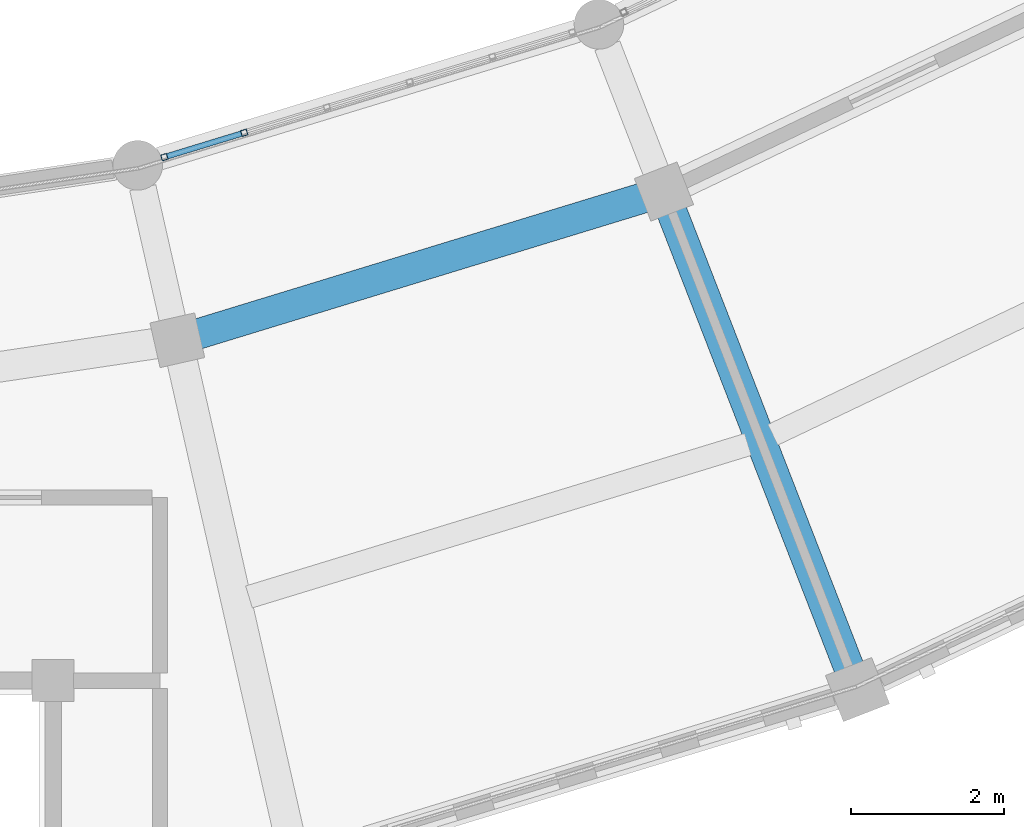
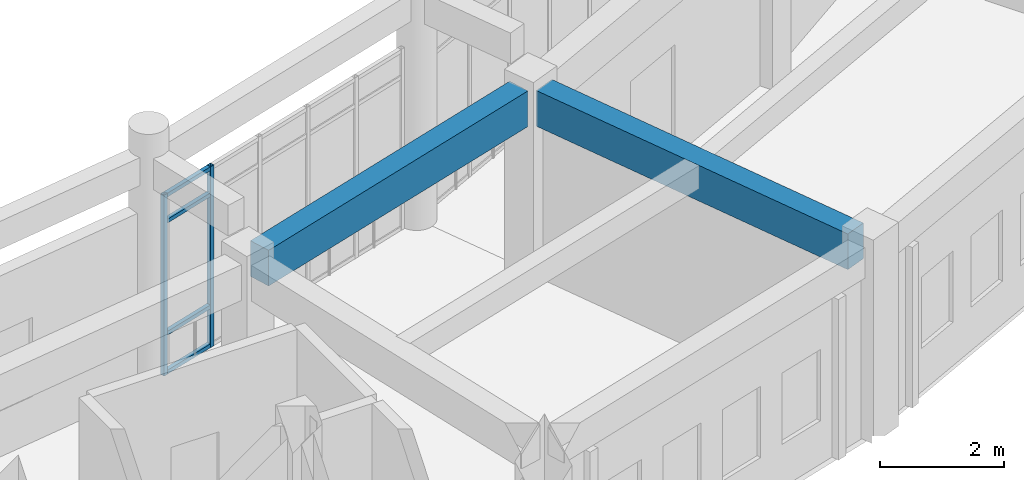
# One storey, part 36 of 159: 6 members, 2 beams, 1 element without a shape of its own.
"""IFC4 building model written with IfcOpenShell, lengths in metres."""

from ifc_helpers import new_model, si_unit, direction, frame, origin, origin_2d, place, context, subcontext, project, spatial, rectangle, hollow_rectangle, extrude, material, material_profile, profile_set, type_object, element, aggregate, save


model = new_model("IFC4")

# Units and contexts
model_context = context("Model", 3, precision=1e-05, world=origin(), true_north=direction((0.0, 1.0)))
body_context = subcontext(model_context, "Body", "Model", "MODEL_VIEW")
ifc_project = project(units=[si_unit("LENGTHUNIT", "METRE"), si_unit("AREAUNIT", "SQUARE_METRE"), si_unit("VOLUMEUNIT", "CUBIC_METRE"), si_unit("PLANEANGLEUNIT", "RADIAN"), si_unit("MASSUNIT", "GRAM", prefix="KILO")], contexts=[model_context])

# Site, building, storey
site_placement = place(None, origin())
site = spatial("IfcSite", under=ifc_project, at=site_placement, CompositionType="ELEMENT")
building_placement = place(site_placement, origin())
building = spatial("IfcBuilding", under=site, at=building_placement, Name="Celadon Cloister-Ring School", CompositionType="ELEMENT")
storey_placement = place(building_placement, frame((0.0, 0.0, 4.5)))
storey = spatial("IfcBuildingStorey", under=building, at=storey_placement, Name="L01", CompositionType="ELEMENT", Elevation=4.5)

# Curtain wall, members
ifc_material_1 = material(Name="Aluminium EN AW-6063 T6", Category="aluminium")
curtain_wall_type = type_object("IfcCurtainWallType", Name="CW-01", PredefinedType="USERDEFINED", material=ifc_material_1)
curtain_wall_placement = place(storey_placement, origin())
curtain_wall = element("IfcCurtainWall", 1, at=curtain_wall_placement, inside=storey, type_object=curtain_wall_type, Name="Curtain Wall 0033", ObjectType="CURTAIN WALL", PredefinedType="USERDEFINED")
ifc_material_2 = material(Name="Aluminium EN AW-6063 T6", Category="aluminium")
ifc_material_profile_1 = material_profile(ifc_material_2, hollow_rectangle(XDim=0.080078125, YDim=0.080078125, WallThickness=0.00390625, at=origin_2d()), Name="RHS80X80X4")
ifc_profile_set_1 = profile_set([ifc_material_profile_1], Name="Aluminium EN AW-6063 T6")
member_type_1 = type_object("IfcMemberType", Name="CM-03", PredefinedType="MULLION", material=ifc_profile_set_1)
member_1_placement = place(storey_placement, frame((96.75732421875, 17.507568359375, 0.0), z_axis=(0.0, 0.0, 1.0), x_axis=(-0.2921513036, 0.956372111578, 0.0)))
member_1 = element("IfcMember", 2, at=member_1_placement, type_object=member_type_1, Name="CW-01 mullion 1", PredefinedType="MULLION", context=body_context, shape_type="SweptSolid", body=[
    extrude(hollow_rectangle(XDim=0.080078125, YDim=0.080078125, WallThickness=0.00390625, at=origin_2d()), origin(), (0.0, 0.0, 1.0), 3.550048828125),
])
member_2_placement = place(storey_placement, frame((97.80322265625, 17.8271484375, 0.0), z_axis=(0.0, 0.0, 1.0), x_axis=(-0.2921513036, 0.956372111578, 0.0)))
member_2 = element("IfcMember", 3, at=member_2_placement, type_object=member_type_1, Name="CW-01 mullion 2", PredefinedType="MULLION", context=body_context, shape_type="SweptSolid", body=[
    extrude(hollow_rectangle(XDim=0.080078125, YDim=0.080078125, WallThickness=0.00390625, at=origin_2d()), origin(), (0.0, 0.0, 1.0), 3.550048828125),
])
ifc_material_3 = material(Name="Aluminium EN AW-6063 T6", Category="aluminium")
ifc_material_profile_2 = material_profile(ifc_material_3, hollow_rectangle(XDim=0.074951171875, YDim=0.074951171875, WallThickness=0.00390625, at=origin_2d()), Name="RHS75X75X4")
ifc_profile_set_2 = profile_set([ifc_material_profile_2], Name="Aluminium EN AW-6063 T6")
member_type_2 = type_object("IfcMemberType", Name="CTM-03", PredefinedType="USERDEFINED", material=ifc_profile_set_2)
member_3_placement = place(storey_placement, frame((96.79541015625, 17.519287109375, 0.03759765625), z_axis=(0.956375872703, 0.292138991083, 0.0), x_axis=(-0.292138991083, 0.956375872703, 0.0)))
member_3 = element("IfcMember", 4, at=member_3_placement, type_object=member_type_2, Name="CW-01 transom 1.1", ObjectType="TRANSOM", PredefinedType="USERDEFINED", context=body_context, shape_type="SweptSolid", body=[
    extrude(hollow_rectangle(XDim=0.074951171875, YDim=0.074951171875, WallThickness=0.00390625, at=origin_2d()), origin(), (0.0, 0.0, 1.0), 1.013671875),
])
member_4_placement = place(storey_placement, frame((96.79541015625, 17.519287109375, 0.800048828125), z_axis=(0.956375872703, 0.292138991083, 0.0), x_axis=(-0.292138991083, 0.956375872703, 0.0)))
member_4 = element("IfcMember", 5, at=member_4_placement, type_object=member_type_2, Name="CW-01 transom 1.2", ObjectType="TRANSOM", PredefinedType="USERDEFINED", context=body_context, shape_type="SweptSolid", body=[
    extrude(hollow_rectangle(XDim=0.074951171875, YDim=0.074951171875, WallThickness=0.00390625, at=origin_2d()), origin(), (0.0, 0.0, 1.0), 1.013671875),
])
member_5_placement = place(storey_placement, frame((96.79541015625, 17.519287109375, 3.0), z_axis=(0.956375872703, 0.292138991083, 0.0), x_axis=(-0.292138991083, 0.956375872703, 0.0)))
member_5 = element("IfcMember", 6, at=member_5_placement, type_object=member_type_2, Name="CW-01 transom 1.3", ObjectType="TRANSOM", PredefinedType="USERDEFINED", context=body_context, shape_type="SweptSolid", body=[
    extrude(hollow_rectangle(XDim=0.074951171875, YDim=0.074951171875, WallThickness=0.00390625, at=origin_2d()), origin(), (0.0, 0.0, 1.0), 1.013671875),
])
member_6_placement = place(storey_placement, frame((96.79541015625, 17.519287109375, 3.512451171875), z_axis=(0.956375872703, 0.292138991083, 0.0), x_axis=(-0.292138991083, 0.956375872703, 0.0)))
member_6 = element("IfcMember", 7, at=member_6_placement, type_object=member_type_2, Name="CW-01 transom 1.4", ObjectType="TRANSOM", PredefinedType="USERDEFINED", context=body_context, shape_type="SweptSolid", body=[
    extrude(hollow_rectangle(XDim=0.074951171875, YDim=0.074951171875, WallThickness=0.00390625, at=origin_2d()), origin(), (0.0, 0.0, 1.0), 1.013671875),
])
aggregate(curtain_wall, [member_1, member_2, member_3, member_4, member_5, member_6])

# Beams
ifc_material_4 = material(Name="Concrete C35/45", Category="concrete")
ifc_material_profile_3 = material_profile(ifc_material_4, rectangle(XDim=0.39990234375, YDim=0.699951171875, at=origin_2d()), Name="RC400X700")
ifc_profile_set_3 = profile_set([ifc_material_profile_3], Name="Concrete C35/45")
beam_type = type_object("IfcBeamType", Name="GT-03", PredefinedType="USERDEFINED", material=ifc_profile_set_3)
beam_1_placement = place(storey_placement, frame((105.72900390625, 10.81201171875, 3.429931640625), z_axis=(-0.36215469114, 0.932118007382, 0.0), x_axis=(-0.932118007382, -0.36215469114, 0.0)))
element("IfcBeam", 8, at=beam_1_placement, inside=storey, type_object=beam_type, Name="Beam 0236", ObjectType="GIRDER", PredefinedType="USERDEFINED", context=body_context, shape_type="SweptSolid", body=[
    extrude(rectangle(XDim=0.39990234375, YDim=0.699951171875, at=origin_2d()), origin(), (0.0, 0.0, 1.0), 6.425048828125),
])
beam_2_placement = place(storey_placement, frame((97.18994140625, 15.18896484375, 3.429931640625), z_axis=(0.956312519562, 0.292346309929, 0.0), x_axis=(-0.292346309929, 0.956312519562, 0.0)))
element("IfcBeam", 9, at=beam_2_placement, inside=storey, type_object=beam_type, Name="Beam 0336", ObjectType="GIRDER", PredefinedType="USERDEFINED", context=body_context, shape_type="SweptSolid", body=[
    extrude(rectangle(XDim=0.39990234375, YDim=0.699951171875, at=origin_2d()), origin(), (0.0, 0.0, 1.0), 6.1162109375),
])

save(model, "model.ifc")
